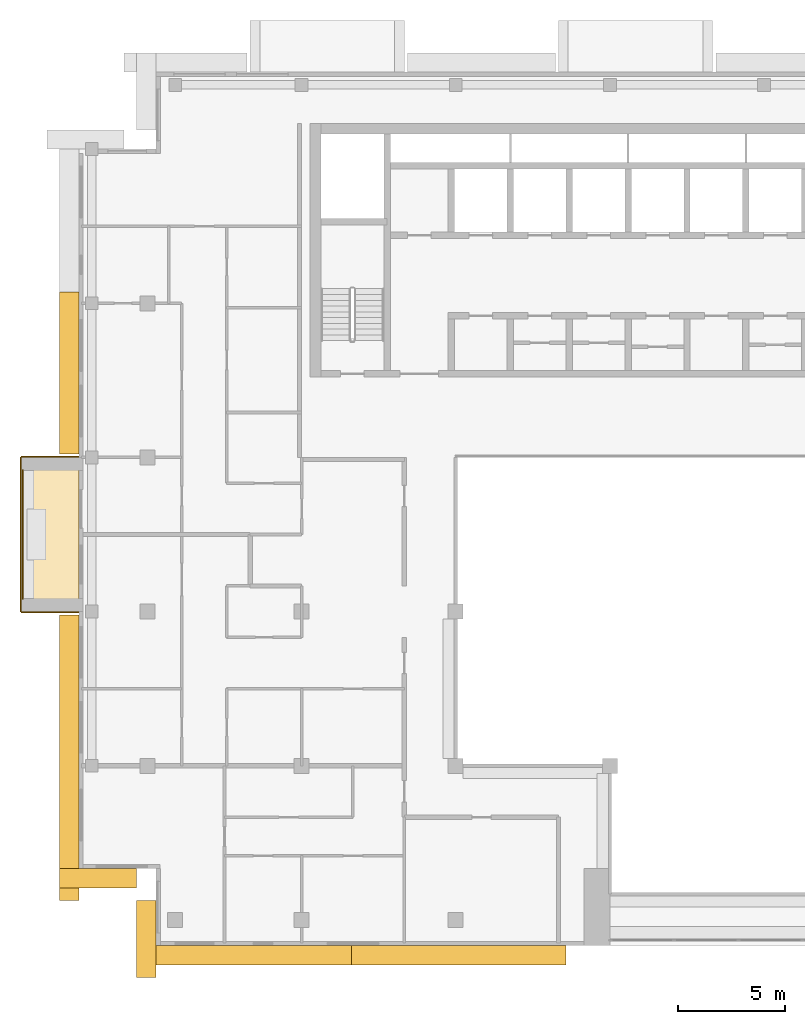
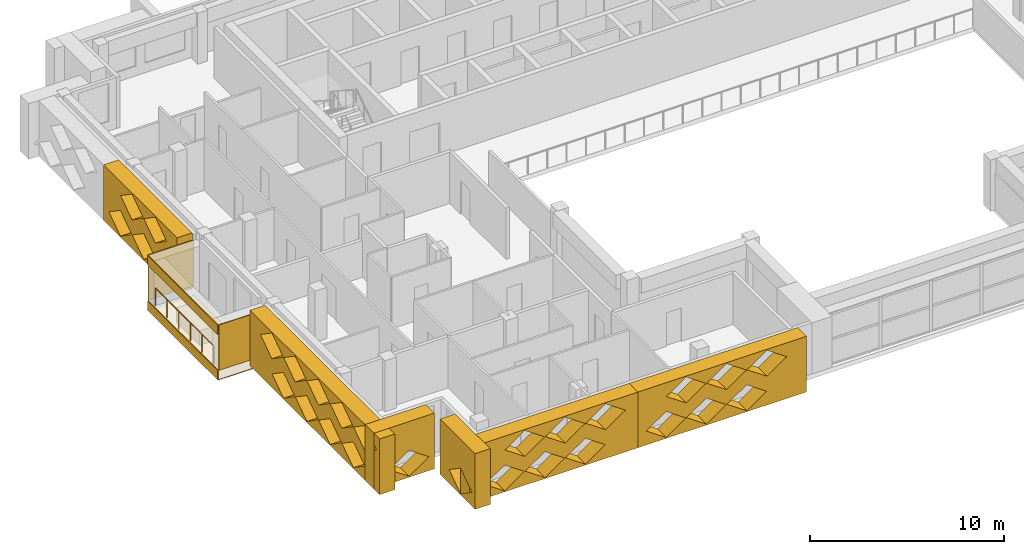
# One storey, part 12 of 18: 11 coverings, 1 railing.
"""IFC4 building model written with IfcOpenShell, lengths in metres."""

from ifc_helpers import new_model, si_unit, direction, frame, origin, origin_2d, place, context, subcontext, project, spatial, polyline, circle, outline, extrude, material, layer, layer_set, type_object, element, save


model = new_model("IFC4")

# Units and contexts
model_context = context("Model", 3, precision=1e-05, world=origin(), true_north=direction((0.0, 1.0)))
body_context = subcontext(model_context, "Body", "Model", "MODEL_VIEW")
ifc_project = project(units=[si_unit("LENGTHUNIT", "METRE"), si_unit("AREAUNIT", "SQUARE_METRE"), si_unit("VOLUMEUNIT", "CUBIC_METRE"), si_unit("PLANEANGLEUNIT", "RADIAN"), si_unit("MASSUNIT", "GRAM", prefix="KILO")], contexts=[model_context])

# Site, building, storey
site_placement = place(None, origin())
site = spatial("IfcSite", under=ifc_project, at=site_placement, CompositionType="ELEMENT")
building_placement = place(site_placement, origin())
building = spatial("IfcBuilding", under=site, at=building_placement, Name="Saffron Iwan Residences", CompositionType="ELEMENT")
storey_placement = place(building_placement, frame((0.0, 0.0, 260.5)))
storey = spatial("IfcBuildingStorey", under=building, at=storey_placement, Name="L70", CompositionType="ELEMENT", Elevation=260.5)

# Railing
ifc_material_1 = material(Name="Stainless steel 316", Category="steel")
railing_type = type_object("IfcRailingType", Name="BALCONY GUARD 1150", PredefinedType="GUARDRAIL", material=ifc_material_1)
railing_placement = place(storey_placement, frame((15.77490234375, 61.800048828125, 0.0)))
element("IfcRailing", 1, at=railing_placement, inside=storey, type_object=railing_type, Name="Balcony guard L70 F8-0", PredefinedType="GUARDRAIL", context=body_context, shape_type="SweptSolid", body=[
    extrude(circle(Radius=0.02392578125, at=origin_2d()), frame((0.0, 0.0, 1.1259765625), z_axis=(0.0, -1.0, 0.0), x_axis=(1.0, 0.0, 0.0)), (0.0, 0.0, 1.0), 6.0),
    extrude(circle(Radius=0.02099609375, at=origin_2d()), origin(), (0.0, 0.0, 1.0), 1.101806640625),
    extrude(circle(Radius=0.02099609375, at=origin_2d()), frame((0.0, -1.199951171875, 0.0)), (0.0, 0.0, 1.0), 1.101806640625),
    extrude(circle(Radius=0.02099609375, at=origin_2d()), frame((0.0, -2.39990234375, 0.0)), (0.0, 0.0, 1.0), 1.101806640625),
    extrude(circle(Radius=0.02099609375, at=origin_2d()), frame((0.0, -3.60009765625, 0.0)), (0.0, 0.0, 1.0), 1.101806640625),
    extrude(circle(Radius=0.02099609375, at=origin_2d()), frame((0.0, -4.800048828125, 0.0)), (0.0, 0.0, 1.0), 1.101806640625),
    extrude(circle(Radius=0.02099609375, at=origin_2d()), frame((0.0, -6.0, 0.0)), (0.0, 0.0, 1.0), 1.101806640625),
])

# Coverings
ifc_material_2 = material(Name="Precast concrete C40/50 white painted", Category="concrete")
ifc_layer = layer(ifc_material_2, 0.050048828125)
ifc_layer_set = layer_set([ifc_layer], Name="Precast concrete C40/50 white painted")
covering_type_1 = type_object("IfcCoveringType", Name="FRAME SKIN PRECAST WHITE 50", PredefinedType="CLADDING", material=ifc_layer_set)
for number, where, name in (
    (2, (0.0, 0.0, -0.60009765625), "Frame skin slab edge L70 F8-0"),
    (3, (0.0, 0.0, 2.25), "Frame skin fascia L70 F8-0"),
):
    element("IfcCovering", number, at=place(storey_placement, frame(where)), inside=storey, type_object=covering_type_1, Name=name, PredefinedType="CLADDING", context=body_context, shape_type="SweptSolid", body=[
        extrude(outline(polyline([(15.64990234375, 62.39990234375), (15.64990234375, 55.199951171875), (15.699951171875, 55.199951171875), (15.699951171875, 62.39990234375), (15.64990234375, 62.39990234375)])), origin(), (0.0, 0.0, 1.0), 0.60009765625),
    ])
covering_1_placement = place(storey_placement, frame((0.0, 0.0, -0.64990234375)))
element("IfcCovering", 4, at=covering_1_placement, inside=storey, type_object=covering_type_1, Name="Frame skin soffit L70 F8-0", PredefinedType="CLADDING", context=body_context, shape_type="SweptSolid", body=[
    extrude(outline(polyline([(15.699951171875, 62.39990234375), (15.699951171875, 55.199951171875), (18.39990234375, 55.199951171875), (18.39990234375, 62.39990234375), (15.699951171875, 62.39990234375)])), origin(), (0.0, 0.0, 1.0), 0.0498046875),
])
covering_2_placement = place(storey_placement, origin())
element("IfcCovering", 5, at=covering_2_placement, inside=storey, type_object=covering_type_1, Name="Frame skin fin L70 F8-0a", PredefinedType="CLADDING", context=body_context, shape_type="SweptSolid", body=[
    extrude(outline(polyline([(15.699951171875, 62.449951171875), (15.699951171875, 62.39990234375), (18.39990234375, 62.39990234375), (18.39990234375, 62.449951171875), (15.699951171875, 62.449951171875)])), origin(), (0.0, 0.0, 1.0), 2.85009765625),
])
covering_3_placement = place(storey_placement, origin())
element("IfcCovering", 6, at=covering_3_placement, inside=storey, type_object=covering_type_1, Name="Frame skin fin L70 F8-0b", PredefinedType="CLADDING", context=body_context, shape_type="SweptSolid", body=[
    extrude(outline(polyline([(15.699951171875, 55.199951171875), (15.699951171875, 55.14990234375), (18.39990234375, 55.14990234375), (18.39990234375, 55.199951171875), (15.699951171875, 55.199951171875)])), origin(), (0.0, 0.0, 1.0), 2.85009765625),
])
ifc_material_3 = material(Name="Precast concrete C40/50", Category="concrete")
covering_type_2 = type_object("IfcCoveringType", Name="OUTER SKIN LATTICE SCREEN", PredefinedType="CLADDING", material=ifc_material_3)
covering_4_placement = place(storey_placement, frame((18.39990234375, 70.125, -0.280029296875), z_axis=(-1.0, 0.0, 0.0), x_axis=(0.0, -1.0, 0.0)))
element("IfcCovering", 7, at=covering_4_placement, inside=storey, type_object=covering_type_2, Name="OUTER SKIN lattice screen L70 F8.1", PredefinedType="CLADDING", context=body_context, shape_type="SweptSolid", body=[
    extrude(outline(polyline([(0.0, 0.0), (7.574951171875, 0.0), (7.574951171875, 3.5), (0.0, 3.5), (0.0, 0.0)]), holes=[polyline([(0.544921875, 0.875), (1.72509765625, 0.06005859375), (2.905029296875, 0.875), (1.72509765625, 1.68994140625), (0.544921875, 0.875)]), polyline([(2.945068359375, 0.875), (4.125, 0.06005859375), (5.304931640625, 0.875), (4.125, 1.68994140625), (2.945068359375, 0.875)]), polyline([(1.7451171875, 2.625), (2.925048828125, 1.81005859375), (4.10498046875, 2.625), (2.925048828125, 3.43994140625), (1.7451171875, 2.625)]), polyline([(4.14501953125, 2.625), (5.324951171875, 1.81005859375), (6.5048828125, 2.625), (5.324951171875, 3.43994140625), (4.14501953125, 2.625)])]), origin(), (0.0, 0.0, 1.0), 0.89990234375),
])
covering_5_placement = place(storey_placement, frame((18.39990234375, 55.050048828125, -0.280029296875), z_axis=(-1.0, 0.0, 0.0), x_axis=(0.0, -1.0, 0.0)))
element("IfcCovering", 8, at=covering_5_placement, inside=storey, type_object=covering_type_2, Name="OUTER SKIN lattice screen L70 F8.2", PredefinedType="CLADDING", context=body_context, shape_type="SweptSolid", body=[
    extrude(outline(polyline([(0.0, 0.0), (13.35009765625, 0.0), (13.35009765625, 3.5), (0.0, 3.5), (0.0, 0.0)]), holes=[polyline([(2.27001953125, 0.875), (3.449951171875, 0.06005859375), (4.6298828125, 0.875), (3.449951171875, 1.68994140625), (2.27001953125, 0.875)]), polyline([(4.669921875, 0.875), (5.85009765625, 0.06005859375), (7.030029296875, 0.875), (5.85009765625, 1.68994140625), (4.669921875, 0.875)]), polyline([(7.070068359375, 0.875), (8.25, 0.06005859375), (9.429931640625, 0.875), (8.25, 1.68994140625), (7.070068359375, 0.875)]), polyline([(9.469970703125, 0.875), (10.64990234375, 0.06005859375), (11.830078125, 0.875), (10.64990234375, 1.68994140625), (9.469970703125, 0.875)]), polyline([(1.070068359375, 2.625), (2.25, 1.81005859375), (3.429931640625, 2.625), (2.25, 3.43994140625), (1.070068359375, 2.625)]), polyline([(3.469970703125, 2.625), (4.64990234375, 1.81005859375), (5.830078125, 2.625), (4.64990234375, 3.43994140625), (3.469970703125, 2.625)]), polyline([(5.8701171875, 2.625), (7.050048828125, 1.81005859375), (8.22998046875, 2.625), (7.050048828125, 3.43994140625), (5.8701171875, 2.625)]), polyline([(8.27001953125, 2.625), (9.449951171875, 1.81005859375), (10.6298828125, 2.625), (9.449951171875, 3.43994140625), (8.27001953125, 2.625)]), polyline([(10.669921875, 2.625), (11.85009765625, 1.81005859375), (13.030029296875, 2.625), (11.85009765625, 3.43994140625), (10.669921875, 2.625)])]), origin(), (0.0, 0.0, 1.0), 0.89990234375),
])
for number, where, z_axis, x_axis, name in (
    (9, (17.5, 43.199951171875, -0.280029296875), (0.0, -1.0, 0.0), (1.0, 0.0, 0.0), "OUTER SKIN lattice screen L70 F9.0"),
    (10, (22.0, 41.699951171875, -0.280029296875), (-1.0, 0.0, 0.0), (0.0, -1.0, 0.0), "OUTER SKIN lattice screen L70 F10.0"),
):
    element("IfcCovering", number, at=place(storey_placement, frame(where, z_axis=z_axis, x_axis=x_axis)), inside=storey, type_object=covering_type_2, Name=name, PredefinedType="CLADDING", context=body_context, shape_type="SweptSolid", body=[
        extrude(outline(polyline([(0.0, 0.0), (3.60009765625, 0.0), (3.60009765625, 3.5), (0.0, 3.5), (0.0, 0.0)]), holes=[polyline([(0.919921875, 0.875), (2.10009765625, 0.06005859375), (3.280029296875, 0.875), (2.10009765625, 1.68994140625), (0.919921875, 0.875)])]), origin(), (0.0, 0.0, 1.0), 0.89990234375),
    ])
covering_6_placement = place(storey_placement, frame((21.10009765625, 39.60009765625, -0.280029296875), z_axis=(0.0, -1.0, 0.0), x_axis=(1.0, 0.0, 0.0)))
element("IfcCovering", 11, at=covering_6_placement, inside=storey, type_object=covering_type_2, Name="OUTER SKIN lattice screen L70 F11.0", PredefinedType="CLADDING", context=body_context, shape_type="SweptSolid", body=[
    extrude(outline(polyline([(0.0, 0.0), (10.02490234375, 0.0), (10.02490234375, 3.5), (0.0, 3.5), (0.0, 0.0)]), holes=[polyline([(0.919921875, 0.875), (2.10009765625, 0.06005859375), (3.280029296875, 0.875), (2.10009765625, 1.68994140625), (0.919921875, 0.875)]), polyline([(3.320068359375, 0.875), (4.5, 0.06005859375), (5.679931640625, 0.875), (4.5, 1.68994140625), (3.320068359375, 0.875)]), polyline([(5.719970703125, 0.875), (6.89990234375, 0.06005859375), (8.080078125, 0.875), (6.89990234375, 1.68994140625), (5.719970703125, 0.875)]), polyline([(2.1201171875, 2.625), (3.300048828125, 1.81005859375), (4.47998046875, 2.625), (3.300048828125, 3.43994140625), (2.1201171875, 2.625)]), polyline([(4.52001953125, 2.625), (5.699951171875, 1.81005859375), (6.8798828125, 2.625), (5.699951171875, 3.43994140625), (4.52001953125, 2.625)]), polyline([(6.919921875, 2.625), (8.10009765625, 1.81005859375), (9.280029296875, 2.625), (8.10009765625, 3.43994140625), (6.919921875, 2.625)])]), origin(), (0.0, 0.0, 1.0), 0.900146484375),
])
covering_7_placement = place(storey_placement, frame((31.125, 39.60009765625, -0.280029296875), z_axis=(0.0, -1.0, 0.0), x_axis=(1.0, 0.0, 0.0)))
element("IfcCovering", 12, at=covering_7_placement, inside=storey, type_object=covering_type_2, Name="OUTER SKIN lattice screen L70 F11.1", PredefinedType="CLADDING", context=body_context, shape_type="SweptSolid", body=[
    extrude(outline(polyline([(0.0, 0.0), (10.02490234375, 0.0), (10.02490234375, 3.5), (0.0, 3.5), (0.0, 0.0)]), holes=[polyline([(0.4951171875, 0.875), (1.675048828125, 0.06005859375), (2.85498046875, 0.875), (1.675048828125, 1.68994140625), (0.4951171875, 0.875)]), polyline([(2.89501953125, 0.875), (4.074951171875, 0.06005859375), (5.2548828125, 0.875), (4.074951171875, 1.68994140625), (2.89501953125, 0.875)]), polyline([(5.294921875, 0.875), (6.47509765625, 0.06005859375), (7.655029296875, 0.875), (6.47509765625, 1.68994140625), (5.294921875, 0.875)]), polyline([(1.695068359375, 2.625), (2.875, 1.81005859375), (4.054931640625, 2.625), (2.875, 3.43994140625), (1.695068359375, 2.625)]), polyline([(4.094970703125, 2.625), (5.27490234375, 1.81005859375), (6.455078125, 2.625), (5.27490234375, 3.43994140625), (4.094970703125, 2.625)]), polyline([(6.4951171875, 2.625), (7.675048828125, 1.81005859375), (8.85498046875, 2.625), (7.675048828125, 3.43994140625), (6.4951171875, 2.625)])]), origin(), (0.0, 0.0, 1.0), 0.900146484375),
])

save(model, "model.ifc")
